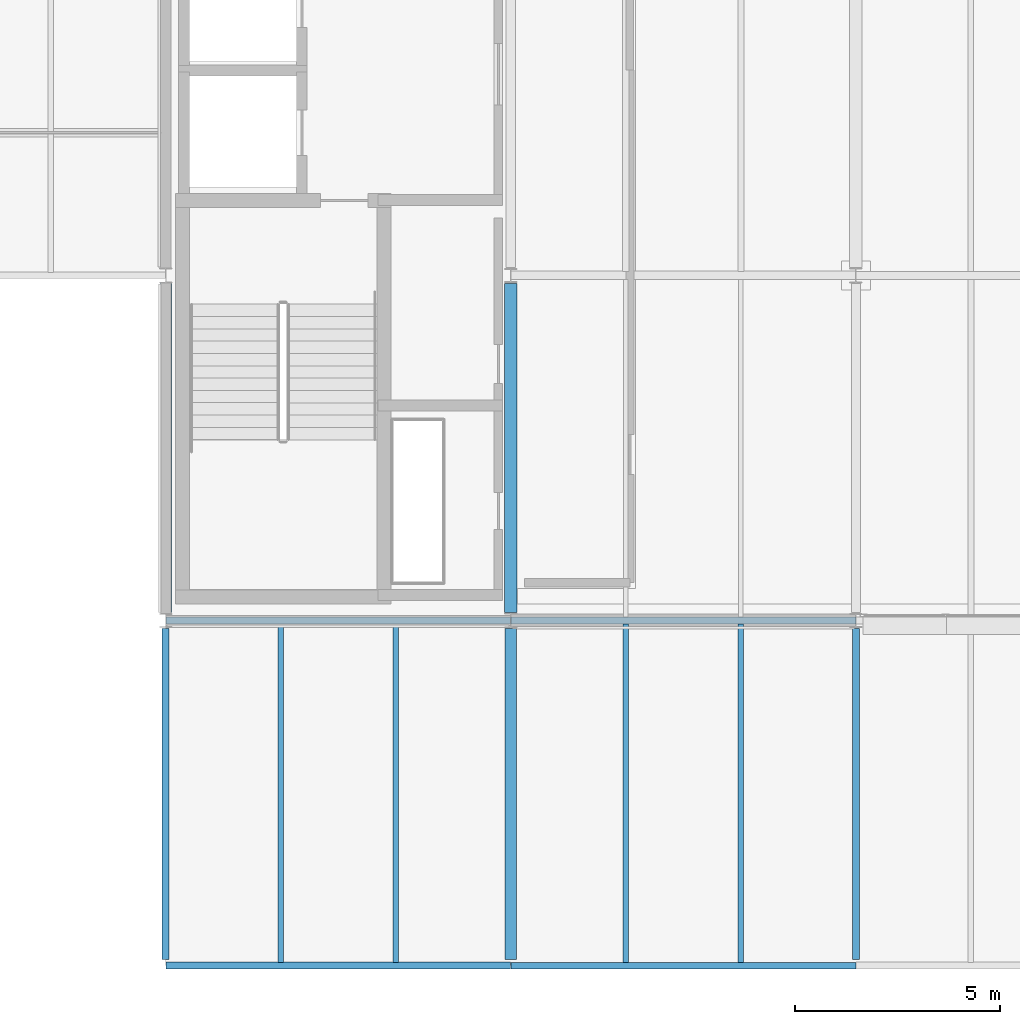
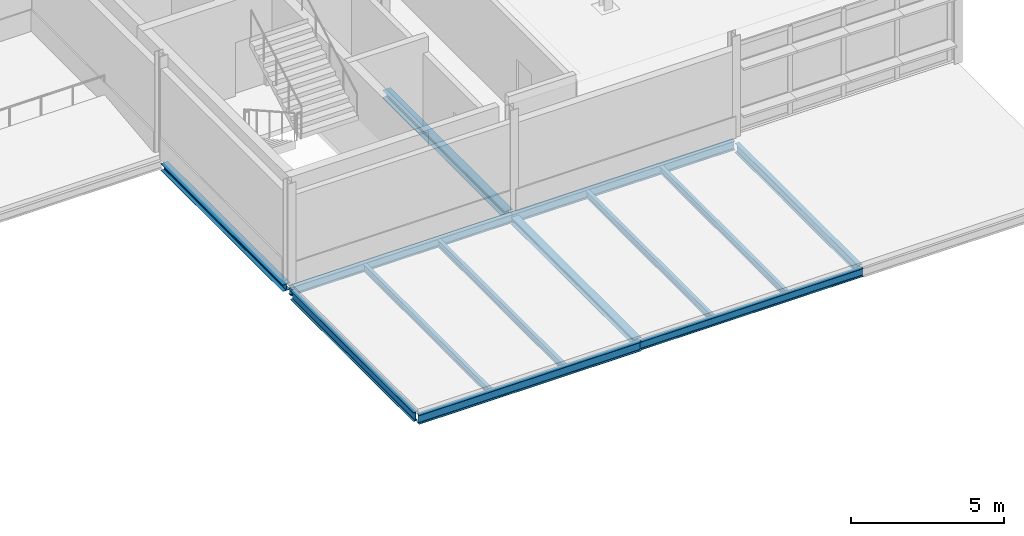
# One storey, part 20 of 151: 13 beams.
"""IFC4 building model written with IfcOpenShell, lengths in metres."""

from ifc_helpers import new_model, si_unit, direction, frame, origin, origin_2d, place, context, subcontext, project, spatial, i_section, extrude, material, material_profile, profile_set, type_object, element, save


model = new_model("IFC4")

# Units and contexts
model_context = context("Model", 3, precision=1e-05, world=origin(), true_north=direction((0.0, 1.0)))
body_context = subcontext(model_context, "Body", "Model", "MODEL_VIEW")
ifc_project = project(units=[si_unit("LENGTHUNIT", "METRE"), si_unit("AREAUNIT", "SQUARE_METRE"), si_unit("VOLUMEUNIT", "CUBIC_METRE"), si_unit("PLANEANGLEUNIT", "RADIAN"), si_unit("MASSUNIT", "GRAM", prefix="KILO")], contexts=[model_context])

# Site, building, storey
site_placement = place(None, origin())
site = spatial("IfcSite", under=ifc_project, at=site_placement, CompositionType="ELEMENT")
building_placement = place(site_placement, origin())
building = spatial("IfcBuilding", under=site, at=building_placement, Name="Mersafa Astral City Hall", CompositionType="ELEMENT")
storey_placement = place(building_placement, frame((0.0, 0.0, 9.89990234375)))
storey = spatial("IfcBuildingStorey", under=building, at=storey_placement, Name="L02", CompositionType="ELEMENT", Elevation=9.89990234375)

# Beams
ifc_material = material(Name="Steel S355", Category="steel")
ifc_material_profile_1 = material_profile(ifc_material, i_section(OverallWidth=0.300048828125, OverallDepth=0.31005859375, WebThickness=0.009033203125, FlangeThickness=0.015380859375, FilletRadius=0.027099609375, at=origin_2d()), Name="HEA 320")
ifc_profile_set_1 = profile_set([ifc_material_profile_1], Name="Steel S355")
beam_type_1 = type_object("IfcBeamType", Name="STR-BM-HEA320", PredefinedType="BEAM", material=ifc_profile_set_1)
beam_1_placement = place(storey_placement, frame((126.0, 8.594970703125, -0.35498046875), z_axis=(0.0, 1.0, 0.0), x_axis=(-1.0, 0.0, 0.0)))
element("IfcBeam", 1, at=beam_1_placement, inside=storey, type_object=beam_type_1, Name="L02 Primary girder Y 15-1", PredefinedType="BEAM", context=body_context, shape_type="SweptSolid", body=[
    extrude(i_section(OverallWidth=0.300048828125, OverallDepth=0.31005859375, WebThickness=0.009033203125, FlangeThickness=0.015380859375, FilletRadius=0.027099609375, at=origin_2d()), origin(), (0.0, 0.0, 1.0), 8.010009765625),
])
ifc_material_profile_2 = material_profile(ifc_material, i_section(OverallWidth=0.135009765625, OverallDepth=0.27001953125, WebThickness=0.006591796875, FlangeThickness=0.01025390625, FilletRadius=0.014892578125, at=origin_2d()), Name="IPE 270")
ifc_profile_set_2 = profile_set([ifc_material_profile_2], Name="Steel S355")
beam_type_2 = type_object("IfcBeamType", Name="STR-BM-JOIST-IPE270", PredefinedType="JOIST", material=ifc_profile_set_2)
for number, where, z_axis, x_axis, name in (
    (2, (120.39990234375, 0.080078125, -0.3349609375), (0.0, 1.0, 0.0), (-1.0, 0.0, 0.0), "L02 Flat roof secondary joist 13"),
    (3, (123.199951171875, 0.080078125, -0.3349609375), (0.0, 1.0, 0.0), (-1.0, 0.0, 0.0), "L02 Flat roof secondary joist 14"),
):
    element("IfcBeam", number, at=place(storey_placement, frame(where, z_axis=z_axis, x_axis=x_axis)), inside=storey, type_object=beam_type_2, Name=name, PredefinedType="JOIST", context=body_context, shape_type="SweptSolid", body=[
        extrude(i_section(OverallWidth=0.135009765625, OverallDepth=0.27001953125, WebThickness=0.006591796875, FlangeThickness=0.01025390625, FilletRadius=0.014892578125, at=origin_2d()), origin(), (0.0, 0.0, 1.0), 8.244873046875),
    ])
for number, where, z_axis, x_axis, name in (
    (4, (128.800048828125, 0.074951171875, -0.3349609375), (0.0, 1.0, 0.0), (-1.0, 0.0, 0.0), "L02 Flat roof secondary joist 15"),
    (5, (131.60009765625, 0.074951171875, -0.3349609375), (0.0, 1.0, 0.0), (-1.0, 0.0, 0.0), "L02 Flat roof secondary joist 16"),
):
    element("IfcBeam", number, at=place(storey_placement, frame(where, z_axis=z_axis, x_axis=x_axis)), inside=storey, type_object=beam_type_2, Name=name, PredefinedType="JOIST", context=body_context, shape_type="SweptSolid", body=[
        extrude(i_section(OverallWidth=0.135009765625, OverallDepth=0.27001953125, WebThickness=0.006591796875, FlangeThickness=0.01025390625, FilletRadius=0.014892578125, at=origin_2d()), origin(), (0.0, 0.0, 1.0), 8.2451171875),
    ])
ifc_material_profile_3 = material_profile(ifc_material, i_section(OverallWidth=0.280029296875, OverallDepth=0.27001953125, WebThickness=0.008056640625, FlangeThickness=0.012939453125, FilletRadius=0.02392578125, at=origin_2d()), Name="HEA 280")
ifc_profile_set_3 = profile_set([ifc_material_profile_3], Name="Steel S355")
beam_type_3 = type_object("IfcBeamType", Name="STR-BM-SPANDREL-HEA280", PredefinedType="SPANDREL", material=ifc_profile_set_3)
beam_2_placement = place(storey_placement, frame((117.60009765625, 8.594970703125, -0.3349609375), z_axis=(0.0, 1.0, 0.0), x_axis=(-1.0, 0.0, 0.0)))
element("IfcBeam", 6, at=beam_2_placement, inside=storey, type_object=beam_type_3, Name="L02 Primary girder Y 14-1", PredefinedType="SPANDREL", context=body_context, shape_type="SweptSolid", body=[
    extrude(i_section(OverallWidth=0.280029296875, OverallDepth=0.27001953125, WebThickness=0.008056640625, FlangeThickness=0.012939453125, FilletRadius=0.02392578125, at=origin_2d()), origin(), (0.0, 0.0, 1.0), 8.010009765625),
])
beam_3_placement = place(storey_placement, frame((126.0, 0.14501953125, -0.3349609375), z_axis=(0.0, 1.0, 0.0), x_axis=(-1.0, 0.0, 0.0)))
element("IfcBeam", 7, at=beam_3_placement, inside=storey, type_object=beam_type_3, Name="L02 Primary girder Y 15-0", PredefinedType="SPANDREL", context=body_context, shape_type="SweptSolid", body=[
    extrude(i_section(OverallWidth=0.280029296875, OverallDepth=0.27001953125, WebThickness=0.008056640625, FlangeThickness=0.012939453125, FilletRadius=0.02392578125, at=origin_2d()), origin(), (0.0, 0.0, 1.0), 8.06005859375),
])
ifc_material_profile_4 = material_profile(ifc_material, i_section(OverallWidth=0.159912109375, OverallDepth=0.330078125, WebThickness=0.007568359375, FlangeThickness=0.011474609375, FilletRadius=0.01806640625, at=origin_2d()), Name="IPE 330")
ifc_profile_set_4 = profile_set([ifc_material_profile_4], Name="Steel S355")
beam_type_4 = type_object("IfcBeamType", Name="STR-BM-SPANDREL-IPE330", PredefinedType="SPANDREL", material=ifc_profile_set_4)
for number, where, z_axis, x_axis, name in (
    (8, (126.0029296875, 0.0, -0.364990234375), (1.0, 0.0, 0.0), (0.0, 1.0, 0.0), "L02 Primary girder X 15-0"),
    (9, (117.60302734375, 8.39990234375, -0.364990234375), (1.0, 0.0, 0.0), (0.0, 1.0, 0.0), "L02 Primary girder X 14-1"),
):
    element("IfcBeam", number, at=place(storey_placement, frame(where, z_axis=z_axis, x_axis=x_axis)), inside=storey, type_object=beam_type_4, Name=name, PredefinedType="SPANDREL", context=body_context, shape_type="SweptSolid", body=[
        extrude(i_section(OverallWidth=0.159912109375, OverallDepth=0.330078125, WebThickness=0.007568359375, FlangeThickness=0.011474609375, FilletRadius=0.01806640625, at=origin_2d()), origin(), (0.0, 0.0, 1.0), 8.39404296875),
    ])
ifc_material_profile_5 = material_profile(ifc_material, i_section(OverallWidth=0.169921875, OverallDepth=0.360107421875, WebThickness=0.008056640625, FlangeThickness=0.0126953125, FilletRadius=0.01806640625, at=origin_2d()), Name="IPE 360")
ifc_profile_set_5 = profile_set([ifc_material_profile_5], Name="Steel S355")
beam_type_5 = type_object("IfcBeamType", Name="STR-BM-SPANDREL-IPE360", PredefinedType="SPANDREL", material=ifc_profile_set_5)
for number, where, z_axis, x_axis, name in (
    (10, (117.60302734375, 0.0, -0.3798828125), (1.0, 0.0, 0.0), (0.0, 1.0, 0.0), "L02 Primary girder X 14-0"),
    (11, (126.0029296875, 8.39990234375, -0.3798828125), (1.0, 0.0, 0.0), (0.0, 1.0, 0.0), "L02 Primary girder X 15-1"),
):
    element("IfcBeam", number, at=place(storey_placement, frame(where, z_axis=z_axis, x_axis=x_axis)), inside=storey, type_object=beam_type_5, Name=name, PredefinedType="SPANDREL", context=body_context, shape_type="SweptSolid", body=[
        extrude(i_section(OverallWidth=0.169921875, OverallDepth=0.360107421875, WebThickness=0.008056640625, FlangeThickness=0.0126953125, FilletRadius=0.01806640625, at=origin_2d()), origin(), (0.0, 0.0, 1.0), 8.39404296875),
    ])
for number, where, z_axis, x_axis, name in (
    (12, (117.60009765625, 0.14501953125, -0.3798828125), (0.0, 1.0, 0.0), (-1.0, 0.0, 0.0), "L02 Primary girder Y 14-0"),
    (13, (134.39990234375, 0.14501953125, -0.3798828125), (0.0, 1.0, 0.0), (-1.0, 0.0, 0.0), "L02 Primary girder Y 16-0"),
):
    element("IfcBeam", number, at=place(storey_placement, frame(where, z_axis=z_axis, x_axis=x_axis)), inside=storey, type_object=beam_type_5, Name=name, PredefinedType="SPANDREL", context=body_context, shape_type="SweptSolid", body=[
        extrude(i_section(OverallWidth=0.169921875, OverallDepth=0.360107421875, WebThickness=0.008056640625, FlangeThickness=0.0126953125, FilletRadius=0.01806640625, at=origin_2d()), origin(), (0.0, 0.0, 1.0), 8.06005859375),
    ])

save(model, "model.ifc")
